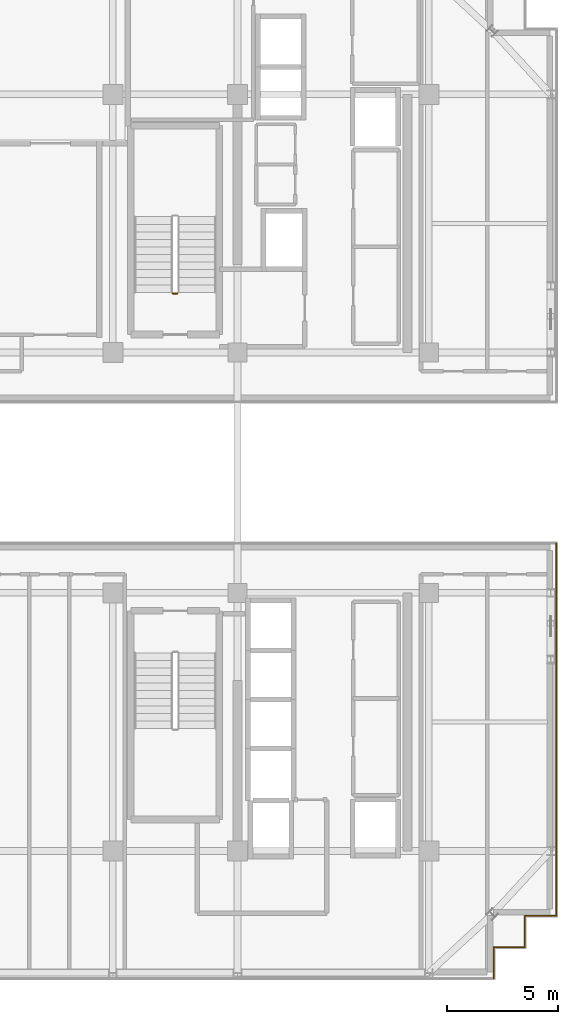
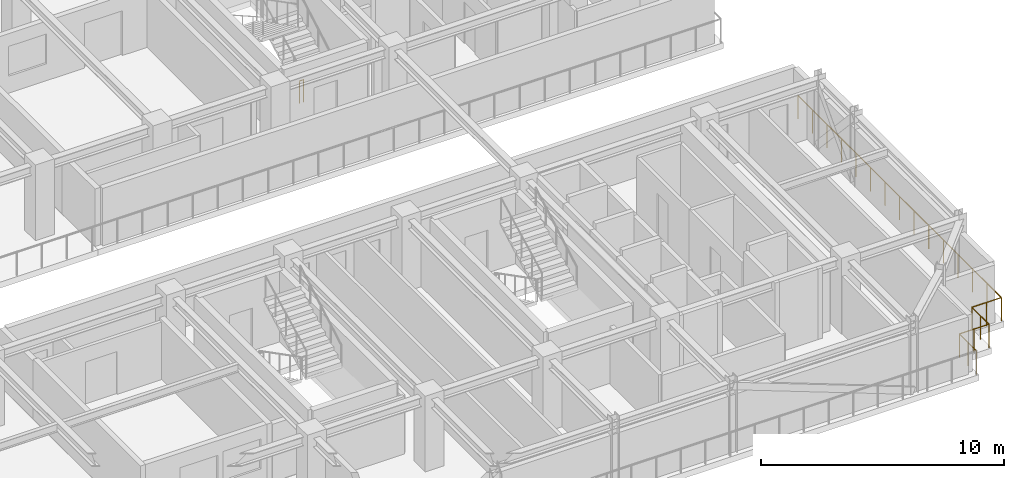
# One storey, part 12 of 14: 6 railings.
"""IFC4 building model written with IfcOpenShell, lengths in metres."""

import ifcopenshell
import ifcopenshell.guid

model = None  # the IFC model being written
_history = None  # IfcOwnerHistory: only IFC2X3 demands one
_inside = {}  # id of a spatial element -> (the spatial element, [elements in it])
_under = {}  # id of a project, library or spatial element -> (it, [spatial elements below it])
_declared = {}  # id of a project -> (the project, [libraries it declares])
_typed = {}  # id of a type object -> (the type object, [elements of that type])
_made_of = {}  # id of a material, layer set ... -> (it, [elements and type objects made of it])


def new_model(schema):
    """Start an empty IFC model of exactly this schema.

    Asked for "IFC4X3", IfcOpenShell would pick the latest addendum, in which some entities
    have other attributes; the version numbers below select the first issue.
    IFC2X3 requires an IfcOwnerHistory on every rooted entity: one is made here for all.
    """
    global model, _history
    if schema == "IFC4X3":
        model = ifcopenshell.file(schema_version=(4, 3, 0, 0))
    else:
        model = ifcopenshell.file(schema=schema)
    _inside.clear()
    _under.clear()
    _declared.clear()
    _typed.clear()
    _made_of.clear()
    _history = None
    if model.schema == "IFC2X3":
        org = make("IfcOrganization", Name="unknown")
        user = make(
            "IfcPersonAndOrganization",
            ThePerson=make("IfcPerson", FamilyName="unknown"),
            TheOrganization=org,
        )
        app = make(
            "IfcApplication",
            ApplicationDeveloper=org,
            Version="unknown",
            ApplicationFullName="unknown",
            ApplicationIdentifier="unknown",
        )
        _history = make(
            "IfcOwnerHistory",
            OwningUser=user,
            OwningApplication=app,
            ChangeAction="ADDED",
            CreationDate=0,
        )
    return model


def make(cls, **values):
    """One entity of the class cls with the attributes given. An attribute that is None is left unset."""
    return model.create_entity(
        cls, **{name: value for name, value in values.items() if value is not None}
    )


def rooted(cls, **values):
    """An entity with a GlobalId (a new one), such as an element, a storey or a relation."""
    return make(cls, GlobalId=ifcopenshell.guid.new(), OwnerHistory=_history, **values)


def si_unit(unit_type, name, prefix=None):
    """IfcSIUnit, for example si_unit("LENGTHUNIT", "METRE", prefix="MILLI")."""
    return make("IfcSIUnit", UnitType=unit_type, Prefix=prefix, Name=name)


def assignment(units):
    """IfcUnitAssignment: the units of a project."""
    return None if units is None else make("IfcUnitAssignment", Units=units)


def point(xyz):
    """IfcCartesianPoint."""
    return None if xyz is None else make("IfcCartesianPoint", Coordinates=xyz)


def direction(xyz):
    """IfcDirection."""
    return None if xyz is None else make("IfcDirection", DirectionRatios=xyz)


def frame(location, z_axis=None, x_axis=None):
    """IfcAxis2Placement3D, a coordinate frame: its origin and axes. An axis left out is left unset."""
    return make(
        "IfcAxis2Placement3D",
        Location=point(location),
        Axis=direction(z_axis),
        RefDirection=direction(x_axis),
    )


def frame_2d(location, x_axis=None):
    """IfcAxis2Placement2D, a coordinate frame in the plane: its origin and x axis."""
    return make(
        "IfcAxis2Placement2D", Location=point(location), RefDirection=direction(x_axis)
    )


def origin():
    """The frame at (0, 0, 0) with its axes left unset."""
    return frame((0.0, 0.0, 0.0))


def origin_2d():
    """The frame at (0, 0) in the plane with its x axis left unset."""
    return frame_2d((0.0, 0.0))


def place(relative_to, where):
    """IfcLocalPlacement: puts the frame where relative to a parent placement (None: the world)."""
    return make(
        "IfcLocalPlacement", PlacementRelTo=relative_to, RelativePlacement=where
    )


def context(
    kind, dimensions, precision=None, world=None, true_north=None, identifier=None
):
    """IfcGeometricRepresentationContext, for example the 3D "Model" context."""
    return make(
        "IfcGeometricRepresentationContext",
        ContextIdentifier=identifier,
        ContextType=kind,
        CoordinateSpaceDimension=dimensions,
        Precision=precision,
        WorldCoordinateSystem=world,
        TrueNorth=true_north,
    )


def subcontext(parent, identifier, kind, view, scale=None):
    """IfcGeometricRepresentationSubContext, for example "Body" below "Model"."""
    return make(
        "IfcGeometricRepresentationSubContext",
        ContextIdentifier=identifier,
        ContextType=kind,
        ParentContext=parent,
        TargetScale=scale,
        TargetView=view,
    )


def project(units=None, contexts=None):
    """IfcProject with its units and contexts."""
    return rooted(
        "IfcProject",
        Name="project",
        RepresentationContexts=contexts,
        UnitsInContext=assignment(units),
    )


def spatial(cls, under=None, at=None, **own):
    """A site, building, storey or space (cls), placed at a placement, below another one or the project."""
    s = rooted(cls, ObjectPlacement=at, **own)
    if under is not None:
        _under.setdefault(under.id(), (under, []))[1].append(s)
    return s


def profile(cls, at=None, kind="AREA", **sizes):
    """A parametric profile (cls). Its sizes go by their IFC names, for example OverallWidth=200.0."""
    return make(cls, ProfileType=kind, Position=at, **sizes)


def circle(**sizes):
    """IfcCircleProfileDef."""
    return profile("IfcCircleProfileDef", **sizes)


def extrude(swept, where, along, depth):
    """IfcExtrudedAreaSolid: the profile swept, set in the frame where, extruded along a direction by depth."""
    return make(
        "IfcExtrudedAreaSolid",
        SweptArea=swept,
        Position=where,
        ExtrudedDirection=direction(along),
        Depth=depth,
    )


def shape(context_of_items, identifier, shape_type, items):
    """IfcShapeRepresentation: the items that make up one representation, for example the "Body"."""
    return make(
        "IfcShapeRepresentation",
        ContextOfItems=context_of_items,
        RepresentationIdentifier=identifier,
        RepresentationType=shape_type,
        Items=items,
    )


def material(Name=None, Category=None):
    """IfcMaterial."""
    return make("IfcMaterial", Name=Name, Category=Category)


def made_of(thing, what):
    """Note that an element or type object is made of a material, layer set ...; save() writes the relation."""
    if what is not None:
        _made_of.setdefault(what.id(), (what, []))[1].append(thing)
    return thing


def type_object(cls, material=None, **own):
    """A type object (cls), such as IfcWallType, which elements share."""
    return made_of(rooted(cls, **own), material)


def element(
    cls,
    number,
    at=None,
    inside=None,
    cuts=None,
    type_object=None,
    material=None,
    context=None,
    identifier="Body",
    shape_type=None,
    held_by="IfcProductDefinitionShape",
    body=None,
    shapes=None,
    **own,
):
    """One element of the class cls, such as IfcWall. Its Tag is "e" and its number.

    at: its placement. inside: the storey or other place that contains it. cuts: it is an
    opening in that element (IfcRelVoidsElement). A single representation is given by context,
    identifier, shape_type and body (its items); several are given by shapes. held_by: the class
    of the entity that holds the representations. save() writes the other relations.
    """
    e = rooted(cls, Tag="e%d" % number, ObjectPlacement=at, **own)
    if body is not None:
        shapes = [shape(context, identifier, shape_type, body)]
    if shapes is not None:
        e.Representation = make(held_by, Representations=shapes)
    if inside is not None:
        _inside.setdefault(inside.id(), (inside, []))[1].append(e)
    if cuts is not None:
        rooted(
            "IfcRelVoidsElement", RelatingBuildingElement=cuts, RelatedOpeningElement=e
        )
    if type_object is not None:
        _typed.setdefault(type_object.id(), (type_object, []))[1].append(e)
    return made_of(e, material)


def aggregate(whole, parts):
    """IfcRelAggregates: a whole, such as a stair, and the parts it consists of."""
    return rooted("IfcRelAggregates", RelatingObject=whole, RelatedObjects=parts)


def save(model, path):
    """Write the relations noted so far, then the file.

    IfcRelAggregates (storeys below a building ...), IfcRelContainedInSpatialStructure (elements
    in a storey), IfcRelDefinesByType, IfcRelAssociatesMaterial and IfcRelDeclares: one each for
    every whole, place, type object, material and project.
    """
    for whole, parts in _under.values():
        aggregate(whole, parts)
    for where, things in _inside.values():
        rooted(
            "IfcRelContainedInSpatialStructure",
            RelatedElements=things,
            RelatingStructure=where,
        )
    for kind, things in _typed.values():
        rooted("IfcRelDefinesByType", RelatedObjects=things, RelatingType=kind)
    for what, things in _made_of.values():
        rooted("IfcRelAssociatesMaterial", RelatedObjects=things, RelatingMaterial=what)
    for by, libraries in _declared.values():
        rooted("IfcRelDeclares", RelatingContext=by, RelatedDefinitions=libraries)
    model.write(path)


model = new_model("IFC4")

# Units and contexts
model_context = context("Model", 3, precision=1e-05, world=origin(), true_north=direction((0.0, 1.0)))
body_context = subcontext(model_context, "Body", "Model", "MODEL_VIEW")
ifc_project = project(units=[si_unit("LENGTHUNIT", "METRE"), si_unit("AREAUNIT", "SQUARE_METRE"), si_unit("VOLUMEUNIT", "CUBIC_METRE"), si_unit("PLANEANGLEUNIT", "RADIAN"), si_unit("MASSUNIT", "GRAM", prefix="KILO")], contexts=[model_context])

# Site, building, storey
site_placement = place(None, origin())
site = spatial("IfcSite", under=ifc_project, at=site_placement, CompositionType="ELEMENT")
building_placement = place(site_placement, origin())
building = spatial("IfcBuilding", under=site, at=building_placement, Name="Nahalor Promenade Grand Hotel", CompositionType="ELEMENT")
storey_placement = place(building_placement, frame((0.0, 0.0, 300.35009765625)))
storey = spatial("IfcBuildingStorey", under=building, at=storey_placement, Name="L77", CompositionType="ELEMENT", Elevation=300.35009765625)

# Railings
ifc_material_1 = material(Name="Anodised Bronze Aluminium EN AW-6063 T6", Category="aluminium")
railing_type_1 = type_object("IfcRailingType", Name="Bronze Balcony Guardrail 1200 mm", PredefinedType="GUARDRAIL", material=ifc_material_1)
railing_1_placement = place(storey_placement, frame((19.919921875, -22.719970703125, 0.0)))
element("IfcRailing", 1, at=railing_1_placement, inside=storey, type_object=railing_type_1, Name="L77 Edge Guardrail RL-L77-WP-S-2", PredefinedType="GUARDRAIL", context=body_context, shape_type="SweptSolid", body=[
    extrude(circle(Radius=0.024048, at=origin_2d()), frame((0.0, 0.0, 1.17578125), z_axis=(0.0, 1.0, 0.0), x_axis=(-1.0, 0.0, 0.0)), (0.0, 0.0, 1.0), 1.39990234375),
    extrude(circle(Radius=0.020996, at=origin_2d()), origin(), (0.0, 0.0, 1.0), 1.14990234375),
    extrude(circle(Radius=0.020996, at=origin_2d()), frame((0.0, 0.699951171875, 0.0)), (0.0, 0.0, 1.0), 1.14990234375),
    extrude(circle(Radius=0.020996, at=origin_2d()), frame((0.0, 1.39990234375, 0.0)), (0.0, 0.0, 1.0), 1.14990234375),
])
railing_2_placement = place(storey_placement, frame((19.919921875, -21.320068359375, 0.0)))
element("IfcRailing", 2, at=railing_2_placement, inside=storey, type_object=railing_type_1, Name="L77 Edge Guardrail RL-L77-WP-S-3", PredefinedType="GUARDRAIL", context=body_context, shape_type="SweptSolid", body=[
    extrude(circle(Radius=0.024048, at=origin_2d()), frame((0.0, 0.0, 1.17578125), z_axis=(1.0, 0.0, 0.0), x_axis=(0.0, 1.0, 0.0)), (0.0, 0.0, 1.0), 1.400146484375),
    extrude(circle(Radius=0.020996, at=origin_2d()), origin(), (0.0, 0.0, 1.0), 1.14990234375),
    extrude(circle(Radius=0.020996, at=origin_2d()), frame((0.7001953125, 0.0, 0.0)), (0.0, 0.0, 1.0), 1.14990234375),
    extrude(circle(Radius=0.020996, at=origin_2d()), frame((1.400146484375, 0.0, 0.0)), (0.0, 0.0, 1.0), 1.14990234375),
])
railing_3_placement = place(storey_placement, frame((21.320068359375, -21.320068359375, 0.0)))
element("IfcRailing", 3, at=railing_3_placement, inside=storey, type_object=railing_type_1, Name="L77 Edge Guardrail RL-L77-WP-S-4", PredefinedType="GUARDRAIL", context=body_context, shape_type="SweptSolid", body=[
    extrude(circle(Radius=0.024048, at=origin_2d()), frame((0.0, 0.0, 1.17578125), z_axis=(0.0, 1.0, 0.0), x_axis=(-1.0, 0.0, 0.0)), (0.0, 0.0, 1.0), 1.400146484375),
    extrude(circle(Radius=0.020996, at=origin_2d()), origin(), (0.0, 0.0, 1.0), 1.14990234375),
    extrude(circle(Radius=0.020996, at=origin_2d()), frame((0.0, 0.7001953125, 0.0)), (0.0, 0.0, 1.0), 1.14990234375),
    extrude(circle(Radius=0.020996, at=origin_2d()), frame((0.0, 1.400146484375, 0.0)), (0.0, 0.0, 1.0), 1.14990234375),
])
railing_4_placement = place(storey_placement, frame((21.320068359375, -19.919921875, 0.0)))
element("IfcRailing", 4, at=railing_4_placement, inside=storey, type_object=railing_type_1, Name="L77 Edge Guardrail RL-L77-WP-S-5", PredefinedType="GUARDRAIL", context=body_context, shape_type="SweptSolid", body=[
    extrude(circle(Radius=0.024048, at=origin_2d()), frame((0.0, 0.0, 1.17578125), z_axis=(1.0, 0.0, 0.0), x_axis=(0.0, 1.0, 0.0)), (0.0, 0.0, 1.0), 1.39990234375),
    extrude(circle(Radius=0.020996, at=origin_2d()), origin(), (0.0, 0.0, 1.0), 1.14990234375),
    extrude(circle(Radius=0.020996, at=origin_2d()), frame((0.699951171875, 0.0, 0.0)), (0.0, 0.0, 1.0), 1.14990234375),
    extrude(circle(Radius=0.020996, at=origin_2d()), frame((1.39990234375, 0.0, 0.0)), (0.0, 0.0, 1.0), 1.14990234375),
])
railing_5_placement = place(storey_placement, frame((22.719970703125, -19.919921875, 0.0)))
element("IfcRailing", 5, at=railing_5_placement, inside=storey, type_object=railing_type_1, Name="L77 Edge Guardrail RL-L77-WP-S-6", PredefinedType="GUARDRAIL", context=body_context, shape_type="SweptSolid", body=[
    extrude(circle(Radius=0.024048, at=origin_2d()), frame((0.0, 0.0, 1.17578125), z_axis=(0.0, 1.0, 0.0), x_axis=(-1.0, 0.0, 0.0)), (0.0, 0.0, 1.0), 16.739990234375),
    extrude(circle(Radius=0.020996, at=origin_2d()), origin(), (0.0, 0.0, 1.0), 1.14990234375),
    extrude(circle(Radius=0.020996, at=origin_2d()), frame((0.0, 1.19580078125, 0.0)), (0.0, 0.0, 1.0), 1.14990234375),
    extrude(circle(Radius=0.020996, at=origin_2d()), frame((0.0, 2.391357421875, 0.0)), (0.0, 0.0, 1.0), 1.14990234375),
    extrude(circle(Radius=0.020996, at=origin_2d()), frame((0.0, 3.587158203125, 0.0)), (0.0, 0.0, 1.0), 1.14990234375),
    extrude(circle(Radius=0.020996, at=origin_2d()), frame((0.0, 4.782958984375, 0.0)), (0.0, 0.0, 1.0), 1.14990234375),
    extrude(circle(Radius=0.020996, at=origin_2d()), frame((0.0, 5.978515625, 0.0)), (0.0, 0.0, 1.0), 1.14990234375),
    extrude(circle(Radius=0.020996, at=origin_2d()), frame((0.0, 7.17431640625, 0.0)), (0.0, 0.0, 1.0), 1.14990234375),
    extrude(circle(Radius=0.020996, at=origin_2d()), frame((0.0, 8.3701171875, 0.0)), (0.0, 0.0, 1.0), 1.14990234375),
    extrude(circle(Radius=0.020996, at=origin_2d()), frame((0.0, 9.565673828125, 0.0)), (0.0, 0.0, 1.0), 1.14990234375),
    extrude(circle(Radius=0.020996, at=origin_2d()), frame((0.0, 10.761474609375, 0.0)), (0.0, 0.0, 1.0), 1.14990234375),
    extrude(circle(Radius=0.020996, at=origin_2d()), frame((0.0, 11.95703125, 0.0)), (0.0, 0.0, 1.0), 1.14990234375),
    extrude(circle(Radius=0.020996, at=origin_2d()), frame((0.0, 13.15283203125, 0.0)), (0.0, 0.0, 1.0), 1.14990234375),
    extrude(circle(Radius=0.020996, at=origin_2d()), frame((0.0, 14.3486328125, 0.0)), (0.0, 0.0, 1.0), 1.14990234375),
    extrude(circle(Radius=0.020996, at=origin_2d()), frame((0.0, 15.544189453125, 0.0)), (0.0, 0.0, 1.0), 1.14990234375),
    extrude(circle(Radius=0.020996, at=origin_2d()), frame((0.0, 16.739990234375, 0.0)), (0.0, 0.0, 1.0), 1.14990234375),
])
ifc_material_2 = material(Name="Steel S355JR", Category="steel")
railing_type_2 = type_object("IfcRailingType", Name="Steel Stair Guardrail 1150 mm", PredefinedType="GUARDRAIL", material=ifc_material_2)
railing_6_placement = place(storey_placement, frame((5.699951171875, 8.050048828125, 0.0)))
element("IfcRailing", 6, at=railing_6_placement, inside=storey, type_object=railing_type_2, Name="L77 ST1 stair guard 4", PredefinedType="GUARDRAIL", context=body_context, shape_type="SweptSolid", body=[
    extrude(circle(Radius=0.024048, at=origin_2d()), frame((0.0, 0.0, 1.1259765625), z_axis=(-1.0, 0.0, 0.0), x_axis=(0.0, -1.0, 0.0)), (0.0, 0.0, 1.0), 0.199951171875),
    extrude(circle(Radius=0.020996, at=origin_2d()), origin(), (0.0, 0.0, 1.0), 1.099853515625),
    extrude(circle(Radius=0.020996, at=origin_2d()), frame((-0.199951171875, 0.0, 0.0)), (0.0, 0.0, 1.0), 1.099853515625),
])

save(model, "model.ifc")
